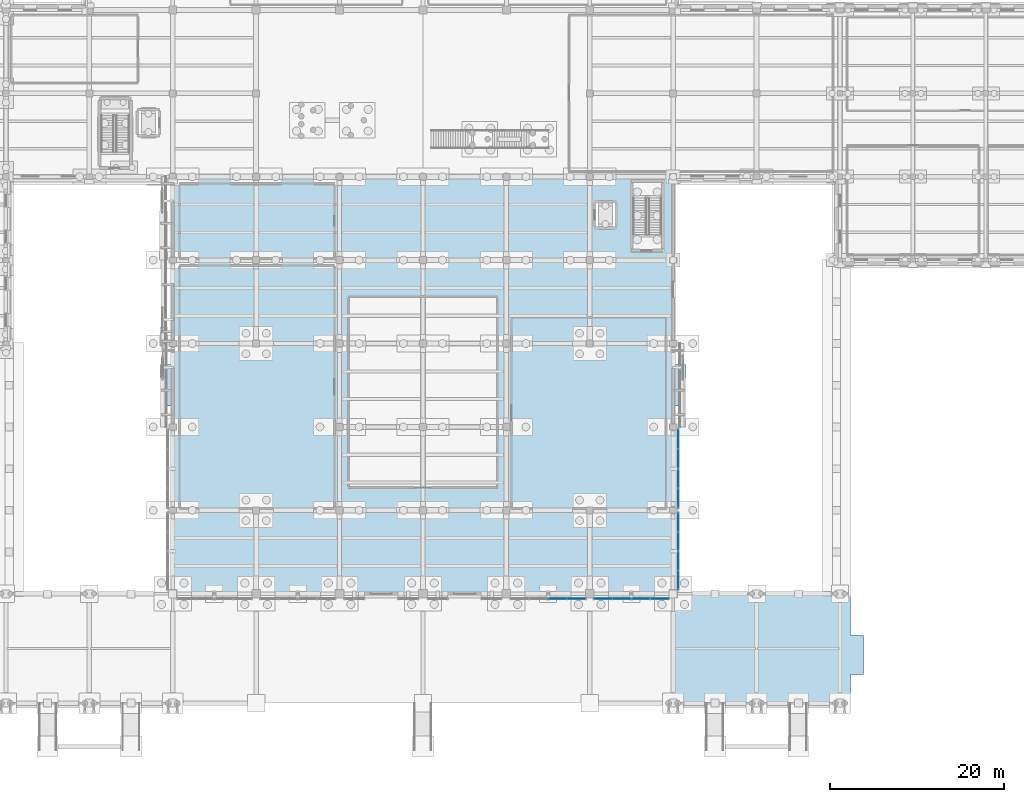
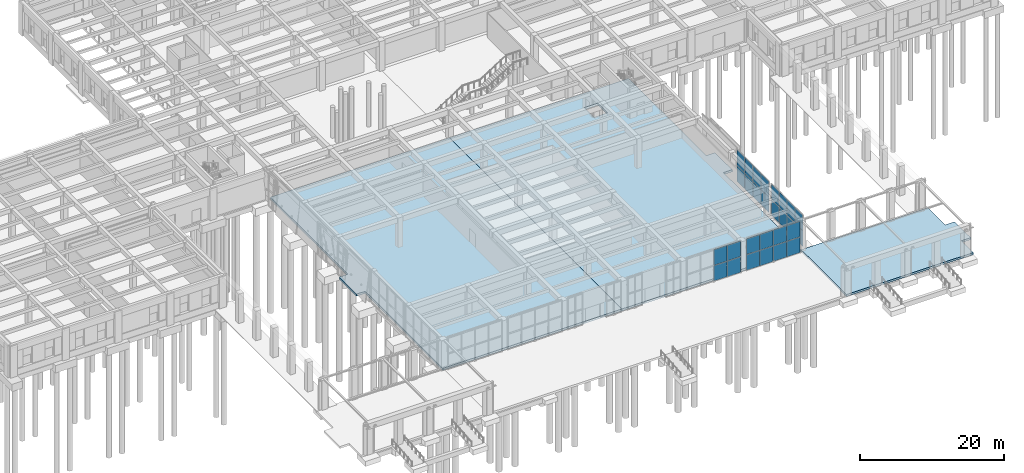
# One storey, part 25 of 51: 28 plates, 3 slabs, 4 elements without a shape of their own.
"""IFC4 building model written with IfcOpenShell, lengths in metres."""

from ifc_helpers import new_model, si_unit, direction, frame, origin, origin_2d, place, context, subcontext, project, spatial, polyline, rectangle, outline, extrude, material, layer, layer_set, type_object, element, aggregate, save


model = new_model("IFC4")

# Units and contexts
model_context = context("Model", 3, precision=1e-05, world=origin(), true_north=direction((0.0, 1.0)))
body_context = subcontext(model_context, "Body", "Model", "MODEL_VIEW")
ifc_project = project(units=[si_unit("LENGTHUNIT", "METRE"), si_unit("AREAUNIT", "SQUARE_METRE"), si_unit("VOLUMEUNIT", "CUBIC_METRE"), si_unit("PLANEANGLEUNIT", "RADIAN"), si_unit("MASSUNIT", "GRAM", prefix="KILO")], contexts=[model_context])

# Site, building, storey
site_placement = place(None, origin())
site = spatial("IfcSite", under=ifc_project, at=site_placement, CompositionType="ELEMENT")
building_placement = place(site_placement, origin())
building = spatial("IfcBuilding", under=site, at=building_placement, Name="Bempovik Park Faculty of Sciences", CompositionType="ELEMENT")
storey_placement = place(building_placement, origin())
storey = spatial("IfcBuildingStorey", under=building, at=storey_placement, Name="L00", CompositionType="ELEMENT", Elevation=0.0)

# Curtain wall, plates
ifc_material_1 = material(Name="Tempered laminated low-E glass", Category="glass")
ifc_layer_1 = layer(ifc_material_1, 0.159912109375)
ifc_layer_set_1 = layer_set([ifc_layer_1], Name="Tempered laminated low-E glass")
curtain_wall_type = type_object("IfcCurtainWallType", Name="CW-57 Curtain 7200x5100", PredefinedType="USERDEFINED", material=ifc_layer_set_1)
curtain_wall_1_placement = place(storey_placement, origin())
curtain_wall_1 = element("IfcCurtainWall", 1, at=curtain_wall_1_placement, inside=storey, type_object=curtain_wall_type, Name="L00 Recessed Entrance Foyer Curtain Wall (19.8-29.4)", ObjectType="UNITISED CURTAIN WALL", PredefinedType="USERDEFINED")
ifc_layer_2 = layer(ifc_material_1, 0.0400390625)
ifc_layer_set_2 = layer_set([ifc_layer_2], Name="Tempered laminated low-E glass")
plate_type = type_object("IfcPlateType", Name="CP-15 Curtain Panel 40mm", PredefinedType="CURTAIN_PANEL", material=ifc_layer_set_2)
plate_1_placement = place(storey_placement, frame((118.179931640625, 21.368408203125, 0.0400390625), z_axis=(0.0, 0.0, 1.0), x_axis=(0.0, 1.0, 0.0)))
plate_1 = element("IfcPlate", 2, at=plate_1_placement, type_object=plate_type, Name="CW-FOY-L00-1176-198 Panel 0-0", PredefinedType="CURTAIN_PANEL", context=body_context, shape_type="SweptSolid", body=[
    extrude(rectangle(XDim=2.1328125, YDim=0.035888671875, at=origin_2d()), origin(), (0.0, 0.0, 1.0), 2.6201171875),
])
plate_2_placement = place(storey_placement, frame((118.179931640625, 21.368408203125, 2.739990234375), z_axis=(0.0, 0.0, 1.0), x_axis=(0.0, 1.0, 0.0)))
plate_2 = element("IfcPlate", 3, at=plate_2_placement, type_object=plate_type, Name="CW-FOY-L00-1176-198 Panel 0-1", PredefinedType="CURTAIN_PANEL", context=body_context, shape_type="SweptSolid", body=[
    extrude(rectangle(XDim=2.1328125, YDim=0.035888671875, at=origin_2d()), origin(), (0.0, 0.0, 1.0), 2.6201171875),
])
plate_3_placement = place(storey_placement, frame((118.179931640625, 23.5810546875, 0.0400390625), z_axis=(0.0, 0.0, 1.0), x_axis=(0.0, 1.0, 0.0)))
plate_3 = element("IfcPlate", 4, at=plate_3_placement, type_object=plate_type, Name="CW-FOY-L00-1176-198 Panel 1-0", PredefinedType="CURTAIN_PANEL", context=body_context, shape_type="SweptSolid", body=[
    extrude(rectangle(XDim=2.1328125, YDim=0.035888671875, at=origin_2d()), origin(), (0.0, 0.0, 1.0), 2.6201171875),
])
plate_4_placement = place(storey_placement, frame((118.179931640625, 23.5810546875, 2.739990234375), z_axis=(0.0, 0.0, 1.0), x_axis=(0.0, 1.0, 0.0)))
plate_4 = element("IfcPlate", 5, at=plate_4_placement, type_object=plate_type, Name="CW-FOY-L00-1176-198 Panel 1-1", PredefinedType="CURTAIN_PANEL", context=body_context, shape_type="SweptSolid", body=[
    extrude(rectangle(XDim=2.1328125, YDim=0.035888671875, at=origin_2d()), origin(), (0.0, 0.0, 1.0), 2.6201171875),
])
plate_5_placement = place(storey_placement, frame((118.179931640625, 25.7939453125, 0.0400390625), z_axis=(0.0, 0.0, 1.0), x_axis=(0.0, 1.0, 0.0)))
plate_5 = element("IfcPlate", 6, at=plate_5_placement, type_object=plate_type, Name="CW-FOY-L00-1176-198 Panel 2-0", PredefinedType="CURTAIN_PANEL", context=body_context, shape_type="SweptSolid", body=[
    extrude(rectangle(XDim=2.1328125, YDim=0.035888671875, at=origin_2d()), origin(), (0.0, 0.0, 1.0), 2.6201171875),
])
plate_6_placement = place(storey_placement, frame((118.179931640625, 25.7939453125, 2.739990234375), z_axis=(0.0, 0.0, 1.0), x_axis=(0.0, 1.0, 0.0)))
plate_6 = element("IfcPlate", 7, at=plate_6_placement, type_object=plate_type, Name="CW-FOY-L00-1176-198 Panel 2-1", PredefinedType="CURTAIN_PANEL", context=body_context, shape_type="SweptSolid", body=[
    extrude(rectangle(XDim=2.1328125, YDim=0.035888671875, at=origin_2d()), origin(), (0.0, 0.0, 1.0), 2.6201171875),
])
plate_7_placement = place(storey_placement, frame((118.179931640625, 28.006591796875, 0.0400390625), z_axis=(0.0, 0.0, 1.0), x_axis=(0.0, 1.0, 0.0)))
plate_7 = element("IfcPlate", 8, at=plate_7_placement, type_object=plate_type, Name="CW-FOY-L00-1176-198 Panel 3-0", PredefinedType="CURTAIN_PANEL", context=body_context, shape_type="SweptSolid", body=[
    extrude(rectangle(XDim=2.1328125, YDim=0.035888671875, at=origin_2d()), origin(), (0.0, 0.0, 1.0), 2.6201171875),
])
plate_8_placement = place(storey_placement, frame((118.179931640625, 28.006591796875, 2.739990234375), z_axis=(0.0, 0.0, 1.0), x_axis=(0.0, 1.0, 0.0)))
plate_8 = element("IfcPlate", 9, at=plate_8_placement, type_object=plate_type, Name="CW-FOY-L00-1176-198 Panel 3-1", PredefinedType="CURTAIN_PANEL", context=body_context, shape_type="SweptSolid", body=[
    extrude(rectangle(XDim=2.1328125, YDim=0.035888671875, at=origin_2d()), origin(), (0.0, 0.0, 1.0), 2.6201171875),
])
aggregate(curtain_wall_1, [plate_1, plate_2, plate_3, plate_4, plate_5, plate_6, plate_7, plate_8])

curtain_wall_2_placement = place(storey_placement, origin())
curtain_wall_2 = element("IfcCurtainWall", 10, at=curtain_wall_2_placement, inside=storey, type_object=curtain_wall_type, Name="L00 Recessed Entrance Foyer Curtain Wall (29.4-39.0)", ObjectType="UNITISED CURTAIN WALL", PredefinedType="USERDEFINED")
plate_9_placement = place(storey_placement, frame((118.179931640625, 30.815185546875, 0.0400390625), z_axis=(0.0, 0.0, 1.0), x_axis=(0.0, 1.0, 0.0)))
plate_9 = element("IfcPlate", 11, at=plate_9_placement, type_object=plate_type, Name="CW-FOY-L00-1176-294 Panel 0-0", PredefinedType="CURTAIN_PANEL", context=body_context, shape_type="SweptSolid", body=[
    extrude(rectangle(XDim=2.176513671875, YDim=0.035888671875, at=origin_2d()), origin(), (0.0, 0.0, 1.0), 2.6201171875),
])
plate_10_placement = place(storey_placement, frame((118.179931640625, 30.815185546875, 2.739990234375), z_axis=(0.0, 0.0, 1.0), x_axis=(0.0, 1.0, 0.0)))
plate_10 = element("IfcPlate", 12, at=plate_10_placement, type_object=plate_type, Name="CW-FOY-L00-1176-294 Panel 0-1", PredefinedType="CURTAIN_PANEL", context=body_context, shape_type="SweptSolid", body=[
    extrude(rectangle(XDim=2.176513671875, YDim=0.035888671875, at=origin_2d()), origin(), (0.0, 0.0, 1.0), 2.6201171875),
])
plate_11_placement = place(storey_placement, frame((118.179931640625, 33.07177734375, 0.0400390625), z_axis=(0.0, 0.0, 1.0), x_axis=(0.0, 1.0, 0.0)))
plate_11 = element("IfcPlate", 13, at=plate_11_placement, type_object=plate_type, Name="CW-FOY-L00-1176-294 Panel 1-0", PredefinedType="CURTAIN_PANEL", context=body_context, shape_type="SweptSolid", body=[
    extrude(rectangle(XDim=2.176513671875, YDim=0.035888671875, at=origin_2d()), origin(), (0.0, 0.0, 1.0), 2.6201171875),
])
plate_12_placement = place(storey_placement, frame((118.179931640625, 33.07177734375, 2.739990234375), z_axis=(0.0, 0.0, 1.0), x_axis=(0.0, 1.0, 0.0)))
plate_12 = element("IfcPlate", 14, at=plate_12_placement, type_object=plate_type, Name="CW-FOY-L00-1176-294 Panel 1-1", PredefinedType="CURTAIN_PANEL", context=body_context, shape_type="SweptSolid", body=[
    extrude(rectangle(XDim=2.176513671875, YDim=0.035888671875, at=origin_2d()), origin(), (0.0, 0.0, 1.0), 2.6201171875),
])
plate_13_placement = place(storey_placement, frame((118.179931640625, 35.328125, 0.0400390625), z_axis=(0.0, 0.0, 1.0), x_axis=(0.0, 1.0, 0.0)))
plate_13 = element("IfcPlate", 15, at=plate_13_placement, type_object=plate_type, Name="CW-FOY-L00-1176-294 Panel 2-0", PredefinedType="CURTAIN_PANEL", context=body_context, shape_type="SweptSolid", body=[
    extrude(rectangle(XDim=2.176513671875, YDim=0.035888671875, at=origin_2d()), origin(), (0.0, 0.0, 1.0), 2.6201171875),
])
plate_14_placement = place(storey_placement, frame((118.179931640625, 35.328125, 2.739990234375), z_axis=(0.0, 0.0, 1.0), x_axis=(0.0, 1.0, 0.0)))
plate_14 = element("IfcPlate", 16, at=plate_14_placement, type_object=plate_type, Name="CW-FOY-L00-1176-294 Panel 2-1", PredefinedType="CURTAIN_PANEL", context=body_context, shape_type="SweptSolid", body=[
    extrude(rectangle(XDim=2.176513671875, YDim=0.035888671875, at=origin_2d()), origin(), (0.0, 0.0, 1.0), 2.6201171875),
])
plate_15_placement = place(storey_placement, frame((118.179931640625, 37.584716796875, 0.0400390625), z_axis=(0.0, 0.0, 1.0), x_axis=(0.0, 1.0, 0.0)))
plate_15 = element("IfcPlate", 17, at=plate_15_placement, type_object=plate_type, Name="CW-FOY-L00-1176-294 Panel 3-0", PredefinedType="CURTAIN_PANEL", context=body_context, shape_type="SweptSolid", body=[
    extrude(rectangle(XDim=2.176513671875, YDim=0.035888671875, at=origin_2d()), origin(), (0.0, 0.0, 1.0), 2.6201171875),
])
plate_16_placement = place(storey_placement, frame((118.179931640625, 37.584716796875, 2.739990234375), z_axis=(0.0, 0.0, 1.0), x_axis=(0.0, 1.0, 0.0)))
plate_16 = element("IfcPlate", 18, at=plate_16_placement, type_object=plate_type, Name="CW-FOY-L00-1176-294 Panel 3-1", PredefinedType="CURTAIN_PANEL", context=body_context, shape_type="SweptSolid", body=[
    extrude(rectangle(XDim=2.176513671875, YDim=0.035888671875, at=origin_2d()), origin(), (0.0, 0.0, 1.0), 2.6201171875),
])
aggregate(curtain_wall_2, [plate_9, plate_10, plate_11, plate_12, plate_13, plate_14, plate_15, plate_16])

curtain_wall_3_placement = place(storey_placement, origin())
curtain_wall_3 = element("IfcCurtainWall", 19, at=curtain_wall_3_placement, inside=storey, type_object=curtain_wall_type, Name="L00 Recessed Entrance Foyer Curtain Wall (98.4-108.0)", ObjectType="UNITISED CURTAIN WALL", PredefinedType="USERDEFINED")
plate_17_placement = place(storey_placement, frame((104.284423828125, 19.219970703125, 0.0400390625), z_axis=(0.0, 0.0, 1.0), x_axis=(1.0, 0.0, 0.0)))
plate_17 = element("IfcPlate", 20, at=plate_17_placement, type_object=plate_type, Name="CW-FOY-L00-198-984 Panel 2-0", PredefinedType="CURTAIN_PANEL", context=body_context, shape_type="SweptSolid", body=[
    extrude(rectangle(XDim=2.089111328125, YDim=0.035888671875, at=origin_2d()), origin(), (0.0, 0.0, 1.0), 2.6201171875),
])
plate_18_placement = place(storey_placement, frame((104.284423828125, 19.219970703125, 2.739990234375), z_axis=(0.0, 0.0, 1.0), x_axis=(1.0, 0.0, 0.0)))
plate_18 = element("IfcPlate", 21, at=plate_18_placement, type_object=plate_type, Name="CW-FOY-L00-198-984 Panel 2-1", PredefinedType="CURTAIN_PANEL", context=body_context, shape_type="SweptSolid", body=[
    extrude(rectangle(XDim=2.089111328125, YDim=0.035888671875, at=origin_2d()), origin(), (0.0, 0.0, 1.0), 2.6201171875),
])
plate_19_placement = place(storey_placement, frame((106.45361328125, 19.219970703125, 0.0400390625), z_axis=(0.0, 0.0, 1.0), x_axis=(1.0, 0.0, 0.0)))
plate_19 = element("IfcPlate", 22, at=plate_19_placement, type_object=plate_type, Name="CW-FOY-L00-198-984 Panel 3-0", PredefinedType="CURTAIN_PANEL", context=body_context, shape_type="SweptSolid", body=[
    extrude(rectangle(XDim=2.089111328125, YDim=0.035888671875, at=origin_2d()), origin(), (0.0, 0.0, 1.0), 2.6201171875),
])
plate_20_placement = place(storey_placement, frame((106.45361328125, 19.219970703125, 2.739990234375), z_axis=(0.0, 0.0, 1.0), x_axis=(1.0, 0.0, 0.0)))
plate_20 = element("IfcPlate", 23, at=plate_20_placement, type_object=plate_type, Name="CW-FOY-L00-198-984 Panel 3-1", PredefinedType="CURTAIN_PANEL", context=body_context, shape_type="SweptSolid", body=[
    extrude(rectangle(XDim=2.089111328125, YDim=0.035888671875, at=origin_2d()), origin(), (0.0, 0.0, 1.0), 2.6201171875),
])
aggregate(curtain_wall_3, [plate_17, plate_18, plate_19, plate_20])

curtain_wall_4_placement = place(storey_placement, origin())
curtain_wall_4 = element("IfcCurtainWall", 24, at=curtain_wall_4_placement, inside=storey, type_object=curtain_wall_type, Name="L00 Recessed Entrance Foyer Curtain Wall (108.0-117.6)", ObjectType="UNITISED CURTAIN WALL", PredefinedType="USERDEFINED")
plate_21_placement = place(storey_placement, frame((109.54638671875, 19.219970703125, 0.0400390625), z_axis=(0.0, 0.0, 1.0), x_axis=(1.0, 0.0, 0.0)))
plate_21 = element("IfcPlate", 25, at=plate_21_placement, type_object=plate_type, Name="CW-FOY-L00-198-1080 Panel 0-0", PredefinedType="CURTAIN_PANEL", context=body_context, shape_type="SweptSolid", body=[
    extrude(rectangle(XDim=2.089111328125, YDim=0.035888671875, at=origin_2d()), origin(), (0.0, 0.0, 1.0), 2.6201171875),
])
plate_22_placement = place(storey_placement, frame((109.54638671875, 19.219970703125, 2.739990234375), z_axis=(0.0, 0.0, 1.0), x_axis=(1.0, 0.0, 0.0)))
plate_22 = element("IfcPlate", 26, at=plate_22_placement, type_object=plate_type, Name="CW-FOY-L00-198-1080 Panel 0-1", PredefinedType="CURTAIN_PANEL", context=body_context, shape_type="SweptSolid", body=[
    extrude(rectangle(XDim=2.089111328125, YDim=0.035888671875, at=origin_2d()), origin(), (0.0, 0.0, 1.0), 2.6201171875),
])
plate_23_placement = place(storey_placement, frame((111.715576171875, 19.219970703125, 0.0400390625), z_axis=(0.0, 0.0, 1.0), x_axis=(1.0, 0.0, 0.0)))
plate_23 = element("IfcPlate", 27, at=plate_23_placement, type_object=plate_type, Name="CW-FOY-L00-198-1080 Panel 1-0", PredefinedType="CURTAIN_PANEL", context=body_context, shape_type="SweptSolid", body=[
    extrude(rectangle(XDim=2.089111328125, YDim=0.035888671875, at=origin_2d()), origin(), (0.0, 0.0, 1.0), 2.6201171875),
])
plate_24_placement = place(storey_placement, frame((111.715576171875, 19.219970703125, 2.739990234375), z_axis=(0.0, 0.0, 1.0), x_axis=(1.0, 0.0, 0.0)))
plate_24 = element("IfcPlate", 28, at=plate_24_placement, type_object=plate_type, Name="CW-FOY-L00-198-1080 Panel 1-1", PredefinedType="CURTAIN_PANEL", context=body_context, shape_type="SweptSolid", body=[
    extrude(rectangle(XDim=2.089111328125, YDim=0.035888671875, at=origin_2d()), origin(), (0.0, 0.0, 1.0), 2.6201171875),
])
plate_25_placement = place(storey_placement, frame((113.884521484375, 19.219970703125, 0.0400390625), z_axis=(0.0, 0.0, 1.0), x_axis=(1.0, 0.0, 0.0)))
plate_25 = element("IfcPlate", 29, at=plate_25_placement, type_object=plate_type, Name="CW-FOY-L00-198-1080 Panel 2-0", PredefinedType="CURTAIN_PANEL", context=body_context, shape_type="SweptSolid", body=[
    extrude(rectangle(XDim=2.089111328125, YDim=0.035888671875, at=origin_2d()), origin(), (0.0, 0.0, 1.0), 2.6201171875),
])
plate_26_placement = place(storey_placement, frame((113.884521484375, 19.219970703125, 2.739990234375), z_axis=(0.0, 0.0, 1.0), x_axis=(1.0, 0.0, 0.0)))
plate_26 = element("IfcPlate", 30, at=plate_26_placement, type_object=plate_type, Name="CW-FOY-L00-198-1080 Panel 2-1", PredefinedType="CURTAIN_PANEL", context=body_context, shape_type="SweptSolid", body=[
    extrude(rectangle(XDim=2.089111328125, YDim=0.035888671875, at=origin_2d()), origin(), (0.0, 0.0, 1.0), 2.6201171875),
])
plate_27_placement = place(storey_placement, frame((116.053466796875, 19.219970703125, 0.0400390625), z_axis=(0.0, 0.0, 1.0), x_axis=(1.0, 0.0, 0.0)))
plate_27 = element("IfcPlate", 31, at=plate_27_placement, type_object=plate_type, Name="CW-FOY-L00-198-1080 Panel 3-0", PredefinedType="CURTAIN_PANEL", context=body_context, shape_type="SweptSolid", body=[
    extrude(rectangle(XDim=2.089111328125, YDim=0.035888671875, at=origin_2d()), origin(), (0.0, 0.0, 1.0), 2.6201171875),
])
plate_28_placement = place(storey_placement, frame((116.053466796875, 19.219970703125, 2.739990234375), z_axis=(0.0, 0.0, 1.0), x_axis=(1.0, 0.0, 0.0)))
plate_28 = element("IfcPlate", 32, at=plate_28_placement, type_object=plate_type, Name="CW-FOY-L00-198-1080 Panel 3-1", PredefinedType="CURTAIN_PANEL", context=body_context, shape_type="SweptSolid", body=[
    extrude(rectangle(XDim=2.089111328125, YDim=0.035888671875, at=origin_2d()), origin(), (0.0, 0.0, 1.0), 2.6201171875),
])
aggregate(curtain_wall_4, [plate_21, plate_22, plate_23, plate_24, plate_25, plate_26, plate_27, plate_28])

# Slabs
ifc_material_2 = material(Name="Concrete C35/45", Category="concrete")
ifc_layer_3 = layer(ifc_material_2, 0.360107421875)
ifc_layer_set_3 = layer_set([ifc_layer_3], Name="Concrete C35/45")
slab_type_1 = type_object("IfcSlabType", Name="S-17 Slab 360mm", PredefinedType="BASESLAB", material=ifc_layer_set_3)
slab_1_placement = place(storey_placement, frame((0.0, 0.0, -0.360107421875)))
element("IfcSlab", 33, at=slab_1_placement, inside=storey, type_object=slab_type_1, Name="L00 Crystal Lecture Mass Floor Slab (W)", PredefinedType="BASESLAB", context=body_context, shape_type="SweptSolid", body=[
    extrude(outline(polyline([(60.0, 19.800048828125), (88.800048828125, 19.800048828125), (88.800048828125, 67.800048828125), (60.0, 67.800048828125), (60.0, 46.199951171875), (58.60009765625, 46.199951171875), (58.60009765625, 41.39990234375), (60.0, 41.39990234375), (60.0, 19.800048828125)])), origin(), (0.0, 0.0, 1.0), 0.360107421875),
])
slab_2_placement = place(storey_placement, frame((0.0, 0.0, -0.360107421875)))
element("IfcSlab", 34, at=slab_2_placement, inside=storey, type_object=slab_type_1, Name="L00 Crystal Lecture Mass Floor Slab (E)", PredefinedType="BASESLAB", context=body_context, shape_type="SweptSolid", body=[
    extrude(outline(polyline([(88.800048828125, 19.800048828125), (117.60009765625, 19.800048828125), (117.60009765625, 41.39990234375), (119.0, 41.39990234375), (119.0, 46.199951171875), (117.60009765625, 46.199951171875), (117.60009765625, 67.800048828125), (88.800048828125, 67.800048828125), (88.800048828125, 19.800048828125)]), holes=[polyline([(108.699951171875, 62.050048828125), (110.89990234375, 62.050048828125), (110.89990234375, 64.75), (108.699951171875, 64.75), (108.699951171875, 62.050048828125)])]), origin(), (0.0, 0.0, 1.0), 0.360107421875),
])
ifc_material_3 = material(Name="Concrete C40/50", Category="concrete")
ifc_layer_4 = layer(ifc_material_3, 0.340087890625)
ifc_layer_set_4 = layer_set([ifc_layer_4], Name="Concrete C40/50")
slab_type_2 = type_object("IfcSlabType", Name="S-20 Slab 340mm", PredefinedType="FLOOR", material=ifc_layer_set_4)
slab_3_placement = place(storey_placement, frame((0.0, 0.0, -0.340087890625)))
element("IfcSlab", 35, at=slab_3_placement, inside=storey, type_object=slab_type_2, Name="L00 South-East Park Colonnade Slab", PredefinedType="FLOOR", context=body_context, shape_type="SweptSolid", body=[
    extrude(outline(polyline([(117.60009765625, 7.199951171875), (138.0, 7.199951171875), (138.0, 10.5), (139.5, 10.5), (139.5, 15.0), (138.0, 15.0), (138.0, 19.800048828125), (117.60009765625, 19.800048828125), (117.60009765625, 7.199951171875)])), origin(), (0.0, 0.0, 1.0), 0.340087890625),
])

save(model, "model.ifc")
